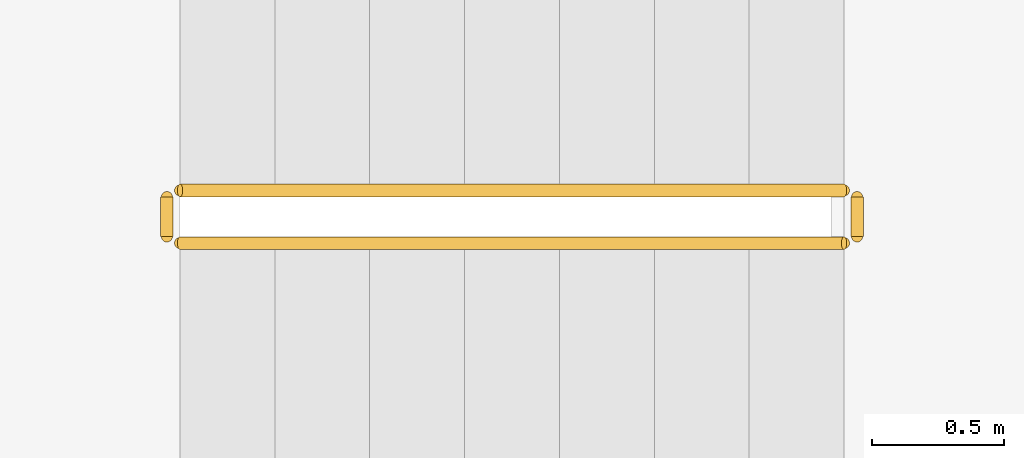
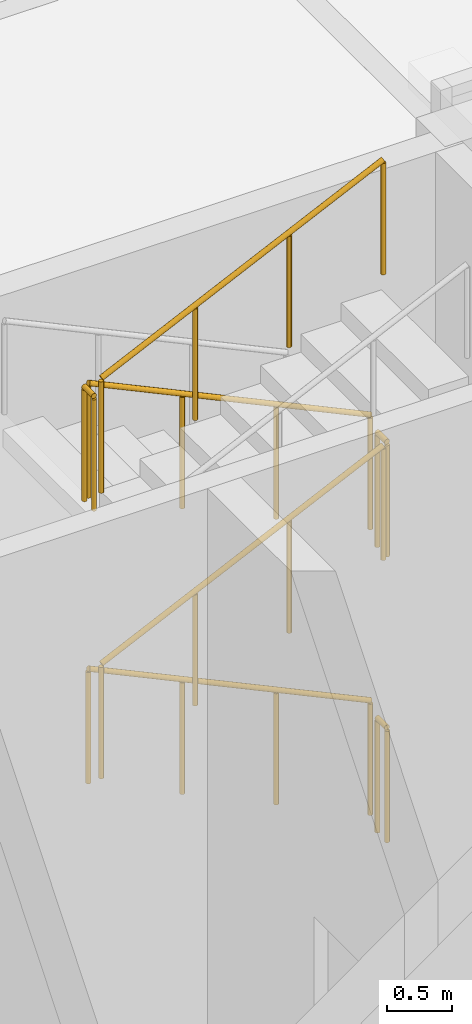
# One storey, part 59 of 85: 7 railings.
"""IFC4 building model written with IfcOpenShell, lengths in metres."""

from ifc_helpers import new_model, si_unit, direction, frame, origin, origin_2d, place, context, subcontext, project, spatial, circle, extrude, material, type_object, element, save


model = new_model("IFC4")

# Units and contexts
model_context = context("Model", 3, precision=1e-05, world=origin(), true_north=direction((0.0, 1.0)))
body_context = subcontext(model_context, "Body", "Model", "MODEL_VIEW")
ifc_project = project(units=[si_unit("LENGTHUNIT", "METRE"), si_unit("AREAUNIT", "SQUARE_METRE"), si_unit("VOLUMEUNIT", "CUBIC_METRE"), si_unit("PLANEANGLEUNIT", "RADIAN"), si_unit("MASSUNIT", "GRAM", prefix="KILO")], contexts=[model_context])

# Site, building, storey
site_placement = place(None, origin())
site = spatial("IfcSite", under=ifc_project, at=site_placement, CompositionType="ELEMENT")
building_placement = place(site_placement, origin())
building = spatial("IfcBuilding", under=site, at=building_placement, Name="Lantern Court Research Institute", CompositionType="ELEMENT")
storey_placement = place(building_placement, origin())
storey = spatial("IfcBuildingStorey", under=building, at=storey_placement, Name="L00", CompositionType="ELEMENT", Elevation=0.0)

# Railings
ifc_material = material(Name="Structural steel S355", Category="steel")
railing_type = type_object("IfcRailingType", Name="Stair guard 1100 steel", PredefinedType="GUARDRAIL", material=ifc_material)
railing_1_placement = place(storey_placement, frame((44.60009765625, 54.52490234375, 0.168701171875)))
element("IfcRailing", 1, at=railing_1_placement, inside=storey, type_object=railing_type, Name="L00 ST-H1 stair guard 1", PredefinedType="GUARDRAIL", context=body_context, shape_type="SweptSolid", body=[
    extrude(circle(Radius=0.02392578125, at=origin_2d()), frame((0.0, 0.0, 1.076171875), z_axis=(-0.905439972488, 0.0, 0.424474329284), x_axis=(0.0, -1.0, 0.0)), (0.0, 0.0, 1.0), 2.783203125),
    extrude(circle(Radius=0.02099609375, at=origin_2d()), origin(), (0.0, 0.0, 1.0), 1.052001953125),
    extrude(circle(Radius=0.02099609375, at=origin_2d()), frame((-0.840087890625, 0.0, 0.393798828125)), (0.0, 0.0, 1.0), 1.052001953125),
    extrude(circle(Radius=0.02099609375, at=origin_2d()), frame((-1.679931640625, 0.0, 0.78759765625)), (0.0, 0.0, 1.0), 1.052001953125),
    extrude(circle(Radius=0.02099609375, at=origin_2d()), frame((-2.52001953125, 0.0, 1.181396484375)), (0.0, 0.0, 1.0), 1.052001953125),
])
railing_2_placement = place(storey_placement, frame((42.080078125, 54.324951171875, 1.518798828125)))
element("IfcRailing", 2, at=railing_2_placement, inside=storey, type_object=railing_type, Name="L00 ST-H1 stair guard 3", PredefinedType="GUARDRAIL", context=body_context, shape_type="SweptSolid", body=[
    extrude(circle(Radius=0.02392578125, at=origin_2d()), frame((0.0, 0.0, 1.076171875), z_axis=(0.905473684625, 0.0, 0.424402410988), x_axis=(0.0, 1.0, 0.0)), (0.0, 0.0, 1.0), 2.783203125),
    extrude(circle(Radius=0.02099609375, at=origin_2d()), origin(), (0.0, 0.0, 1.0), 1.052001953125),
    extrude(circle(Radius=0.02099609375, at=origin_2d()), frame((0.840087890625, 0.0, 0.393798828125)), (0.0, 0.0, 1.0), 1.052001953125),
    extrude(circle(Radius=0.02099609375, at=origin_2d()), frame((1.679931640625, 0.0, 0.787353515625)), (0.0, 0.0, 1.0), 1.052001953125),
    extrude(circle(Radius=0.02099609375, at=origin_2d()), frame((2.52001953125, 0.0, 1.18115234375)), (0.0, 0.0, 1.0), 1.052001953125),
])
railing_3_placement = place(storey_placement, frame((44.64990234375, 54.5, 2.699951171875)))
element("IfcRailing", 3, at=railing_3_placement, inside=storey, type_object=railing_type, Name="L00 ST-H1 stair guard 4", PredefinedType="GUARDRAIL", context=body_context, shape_type="SweptSolid", body=[
    extrude(circle(Radius=0.02392578125, at=origin_2d()), frame((0.0, 0.0, 1.076171875), z_axis=(0.0, -1.0, 0.0), x_axis=(1.0, 0.0, 0.0)), (0.0, 0.0, 1.0), 0.14990234375),
    extrude(circle(Radius=0.02099609375, at=origin_2d()), origin(), (0.0, 0.0, 1.0), 1.052001953125),
    extrude(circle(Radius=0.02099609375, at=origin_2d()), frame((0.0, -0.14990234375, 0.0)), (0.0, 0.0, 1.0), 1.052001953125),
])
railing_4_placement = place(storey_placement, frame((44.60009765625, 54.52490234375, 2.86865234375)))
element("IfcRailing", 4, at=railing_4_placement, inside=storey, type_object=railing_type, Name="L00 ST-H1 stair guard 5", PredefinedType="GUARDRAIL", context=body_context, shape_type="SweptSolid", body=[
    extrude(circle(Radius=0.02392578125, at=origin_2d()), frame((0.0, 0.0, 1.076171875), z_axis=(-0.905439972488, 0.0, 0.424474329284), x_axis=(0.0, -1.0, 0.0)), (0.0, 0.0, 1.0), 2.783203125),
    extrude(circle(Radius=0.02099609375, at=origin_2d()), origin(), (0.0, 0.0, 1.0), 1.052001953125),
    extrude(circle(Radius=0.02099609375, at=origin_2d()), frame((-0.840087890625, 0.0, 0.393798828125)), (0.0, 0.0, 1.0), 1.052001953125),
    extrude(circle(Radius=0.02099609375, at=origin_2d()), frame((-1.679931640625, 0.0, 0.78759765625)), (0.0, 0.0, 1.0), 1.052001953125),
    extrude(circle(Radius=0.02099609375, at=origin_2d()), frame((-2.52001953125, 0.0, 1.181396484375)), (0.0, 0.0, 1.0), 1.052001953125),
])
railing_5_placement = place(storey_placement, frame((42.030029296875, 54.5, 4.050048828125)))
element("IfcRailing", 5, at=railing_5_placement, inside=storey, type_object=railing_type, Name="L00 ST-H1 stair guard 6", PredefinedType="GUARDRAIL", context=body_context, shape_type="SweptSolid", body=[
    extrude(circle(Radius=0.02392578125, at=origin_2d()), frame((0.0, 0.0, 1.076171875), z_axis=(0.0, -1.0, 0.0), x_axis=(1.0, 0.0, 0.0)), (0.0, 0.0, 1.0), 0.14990234375),
    extrude(circle(Radius=0.02099609375, at=origin_2d()), origin(), (0.0, 0.0, 1.0), 1.052001953125),
    extrude(circle(Radius=0.02099609375, at=origin_2d()), frame((0.0, -0.14990234375, 0.0)), (0.0, 0.0, 1.0), 1.052001953125),
])
railing_6_placement = place(storey_placement, frame((42.080078125, 54.324951171875, 4.21875)))
element("IfcRailing", 6, at=railing_6_placement, inside=storey, type_object=railing_type, Name="L00 ST-H1 stair guard 7", PredefinedType="GUARDRAIL", context=body_context, shape_type="SweptSolid", body=[
    extrude(circle(Radius=0.02392578125, at=origin_2d()), frame((0.0, 0.0, 1.076171875), z_axis=(0.905473684625, 0.0, 0.424402410988), x_axis=(0.0, 1.0, 0.0)), (0.0, 0.0, 1.0), 2.783203125),
    extrude(circle(Radius=0.02099609375, at=origin_2d()), origin(), (0.0, 0.0, 1.0), 1.052001953125),
    extrude(circle(Radius=0.02099609375, at=origin_2d()), frame((0.840087890625, 0.0, 0.393798828125)), (0.0, 0.0, 1.0), 1.052001953125),
    extrude(circle(Radius=0.02099609375, at=origin_2d()), frame((1.679931640625, 0.0, 0.787353515625)), (0.0, 0.0, 1.0), 1.052001953125),
    extrude(circle(Radius=0.02099609375, at=origin_2d()), frame((2.52001953125, 0.0, 1.18115234375)), (0.0, 0.0, 1.0), 1.052001953125),
])
railing_7_placement = place(storey_placement, frame((44.64990234375, 54.5, 0.0)))
element("IfcRailing", 7, at=railing_7_placement, inside=storey, type_object=railing_type, Name="L00 ST-H1 stair guard 8", PredefinedType="GUARDRAIL", context=body_context, shape_type="SweptSolid", body=[
    extrude(circle(Radius=0.02392578125, at=origin_2d()), frame((0.0, 0.0, 1.076171875), z_axis=(0.0, -1.0, 0.0), x_axis=(1.0, 0.0, 0.0)), (0.0, 0.0, 1.0), 0.14990234375),
    extrude(circle(Radius=0.02099609375, at=origin_2d()), origin(), (0.0, 0.0, 1.0), 1.052001953125),
    extrude(circle(Radius=0.02099609375, at=origin_2d()), frame((0.0, -0.14990234375, 0.0)), (0.0, 0.0, 1.0), 1.052001953125),
])

save(model, "model.ifc")
